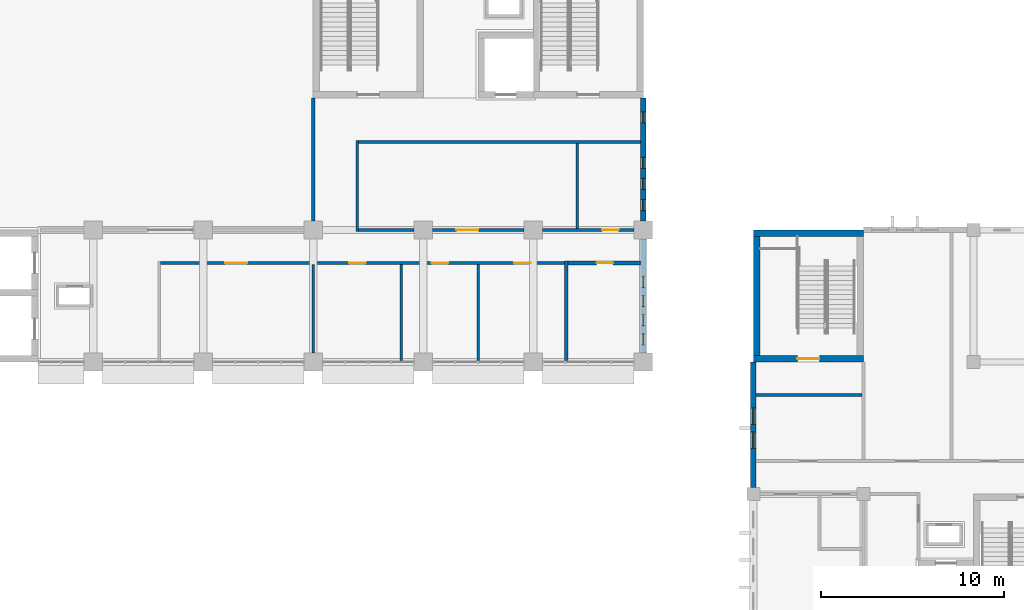
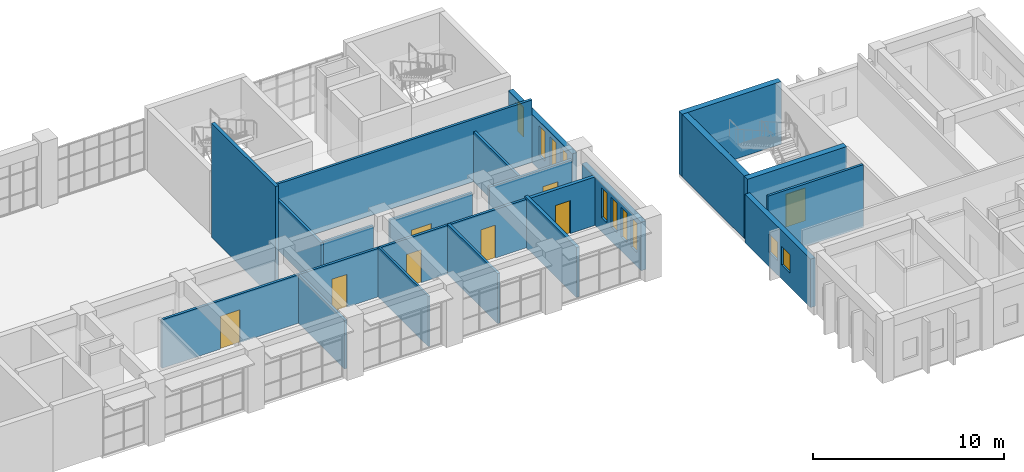
# One storey, part 65 of 92: 20 walls, 10 windows, 8 doors, 18 openings.
"""IFC4 building model written with IfcOpenShell, lengths in metres."""

import ifcopenshell
import ifcopenshell.guid

model = None  # the IFC model being written
_history = None  # IfcOwnerHistory: only IFC2X3 demands one
_inside = {}  # id of a spatial element -> (the spatial element, [elements in it])
_under = {}  # id of a project, library or spatial element -> (it, [spatial elements below it])
_declared = {}  # id of a project -> (the project, [libraries it declares])
_typed = {}  # id of a type object -> (the type object, [elements of that type])
_made_of = {}  # id of a material, layer set ... -> (it, [elements and type objects made of it])


def new_model(schema):
    """Start an empty IFC model of exactly this schema.

    Asked for "IFC4X3", IfcOpenShell would pick the latest addendum, in which some entities
    have other attributes; the version numbers below select the first issue.
    IFC2X3 requires an IfcOwnerHistory on every rooted entity: one is made here for all.
    """
    global model, _history
    if schema == "IFC4X3":
        model = ifcopenshell.file(schema_version=(4, 3, 0, 0))
    else:
        model = ifcopenshell.file(schema=schema)
    _inside.clear()
    _under.clear()
    _declared.clear()
    _typed.clear()
    _made_of.clear()
    _history = None
    if model.schema == "IFC2X3":
        org = make("IfcOrganization", Name="unknown")
        user = make(
            "IfcPersonAndOrganization",
            ThePerson=make("IfcPerson", FamilyName="unknown"),
            TheOrganization=org,
        )
        app = make(
            "IfcApplication",
            ApplicationDeveloper=org,
            Version="unknown",
            ApplicationFullName="unknown",
            ApplicationIdentifier="unknown",
        )
        _history = make(
            "IfcOwnerHistory",
            OwningUser=user,
            OwningApplication=app,
            ChangeAction="ADDED",
            CreationDate=0,
        )
    return model


def make(cls, **values):
    """One entity of the class cls with the attributes given. An attribute that is None is left unset."""
    return model.create_entity(
        cls, **{name: value for name, value in values.items() if value is not None}
    )


def rooted(cls, **values):
    """An entity with a GlobalId (a new one), such as an element, a storey or a relation."""
    return make(cls, GlobalId=ifcopenshell.guid.new(), OwnerHistory=_history, **values)


def si_unit(unit_type, name, prefix=None):
    """IfcSIUnit, for example si_unit("LENGTHUNIT", "METRE", prefix="MILLI")."""
    return make("IfcSIUnit", UnitType=unit_type, Prefix=prefix, Name=name)


def assignment(units):
    """IfcUnitAssignment: the units of a project."""
    return None if units is None else make("IfcUnitAssignment", Units=units)


def point(xyz):
    """IfcCartesianPoint."""
    return None if xyz is None else make("IfcCartesianPoint", Coordinates=xyz)


def direction(xyz):
    """IfcDirection."""
    return None if xyz is None else make("IfcDirection", DirectionRatios=xyz)


def frame(location, z_axis=None, x_axis=None):
    """IfcAxis2Placement3D, a coordinate frame: its origin and axes. An axis left out is left unset."""
    return make(
        "IfcAxis2Placement3D",
        Location=point(location),
        Axis=direction(z_axis),
        RefDirection=direction(x_axis),
    )


def frame_2d(location, x_axis=None):
    """IfcAxis2Placement2D, a coordinate frame in the plane: its origin and x axis."""
    return make(
        "IfcAxis2Placement2D", Location=point(location), RefDirection=direction(x_axis)
    )


def origin():
    """The frame at (0, 0, 0) with its axes left unset."""
    return frame((0.0, 0.0, 0.0))


def place(relative_to, where):
    """IfcLocalPlacement: puts the frame where relative to a parent placement (None: the world)."""
    return make(
        "IfcLocalPlacement", PlacementRelTo=relative_to, RelativePlacement=where
    )


def context(
    kind, dimensions, precision=None, world=None, true_north=None, identifier=None
):
    """IfcGeometricRepresentationContext, for example the 3D "Model" context."""
    return make(
        "IfcGeometricRepresentationContext",
        ContextIdentifier=identifier,
        ContextType=kind,
        CoordinateSpaceDimension=dimensions,
        Precision=precision,
        WorldCoordinateSystem=world,
        TrueNorth=true_north,
    )


def subcontext(parent, identifier, kind, view, scale=None):
    """IfcGeometricRepresentationSubContext, for example "Body" below "Model"."""
    return make(
        "IfcGeometricRepresentationSubContext",
        ContextIdentifier=identifier,
        ContextType=kind,
        ParentContext=parent,
        TargetScale=scale,
        TargetView=view,
    )


def project(units=None, contexts=None):
    """IfcProject with its units and contexts."""
    return rooted(
        "IfcProject",
        Name="project",
        RepresentationContexts=contexts,
        UnitsInContext=assignment(units),
    )


def spatial(cls, under=None, at=None, **own):
    """A site, building, storey or space (cls), placed at a placement, below another one or the project."""
    s = rooted(cls, ObjectPlacement=at, **own)
    if under is not None:
        _under.setdefault(under.id(), (under, []))[1].append(s)
    return s


def profile(cls, at=None, kind="AREA", **sizes):
    """A parametric profile (cls). Its sizes go by their IFC names, for example OverallWidth=200.0."""
    return make(cls, ProfileType=kind, Position=at, **sizes)


def rectangle(**sizes):
    """IfcRectangleProfileDef."""
    return profile("IfcRectangleProfileDef", **sizes)


def extrude(swept, where, along, depth):
    """IfcExtrudedAreaSolid: the profile swept, set in the frame where, extruded along a direction by depth."""
    return make(
        "IfcExtrudedAreaSolid",
        SweptArea=swept,
        Position=where,
        ExtrudedDirection=direction(along),
        Depth=depth,
    )


def shape(context_of_items, identifier, shape_type, items):
    """IfcShapeRepresentation: the items that make up one representation, for example the "Body"."""
    return make(
        "IfcShapeRepresentation",
        ContextOfItems=context_of_items,
        RepresentationIdentifier=identifier,
        RepresentationType=shape_type,
        Items=items,
    )


def material(Name=None, Category=None):
    """IfcMaterial."""
    return make("IfcMaterial", Name=Name, Category=Category)


def layer(
    of_material, thickness, ventilated=None, Name=None, Category=None, Priority=None
):
    """IfcMaterialLayer: one layer of a wall or slab, of a material (None: an air gap)."""
    return make(
        "IfcMaterialLayer",
        Material=of_material,
        LayerThickness=thickness,
        IsVentilated=ventilated,
        Name=Name,
        Category=Category,
        Priority=Priority,
    )


def layer_set(layers, Name=None):
    """IfcMaterialLayerSet."""
    return make("IfcMaterialLayerSet", MaterialLayers=layers, LayerSetName=Name)


def made_of(thing, what):
    """Note that an element or type object is made of a material, layer set ...; save() writes the relation."""
    if what is not None:
        _made_of.setdefault(what.id(), (what, []))[1].append(thing)
    return thing


def type_object(cls, material=None, **own):
    """A type object (cls), such as IfcWallType, which elements share."""
    return made_of(rooted(cls, **own), material)


def element(
    cls,
    number,
    at=None,
    inside=None,
    cuts=None,
    type_object=None,
    material=None,
    context=None,
    identifier="Body",
    shape_type=None,
    held_by="IfcProductDefinitionShape",
    body=None,
    shapes=None,
    **own,
):
    """One element of the class cls, such as IfcWall. Its Tag is "e" and its number.

    at: its placement. inside: the storey or other place that contains it. cuts: it is an
    opening in that element (IfcRelVoidsElement). A single representation is given by context,
    identifier, shape_type and body (its items); several are given by shapes. held_by: the class
    of the entity that holds the representations. save() writes the other relations.
    """
    e = rooted(cls, Tag="e%d" % number, ObjectPlacement=at, **own)
    if body is not None:
        shapes = [shape(context, identifier, shape_type, body)]
    if shapes is not None:
        e.Representation = make(held_by, Representations=shapes)
    if inside is not None:
        _inside.setdefault(inside.id(), (inside, []))[1].append(e)
    if cuts is not None:
        rooted(
            "IfcRelVoidsElement", RelatingBuildingElement=cuts, RelatedOpeningElement=e
        )
    if type_object is not None:
        _typed.setdefault(type_object.id(), (type_object, []))[1].append(e)
    return made_of(e, material)


def fill(opening, filler):
    """IfcRelFillsElement: the door or window that sits in an opening."""
    return rooted(
        "IfcRelFillsElement",
        RelatingOpeningElement=opening,
        RelatedBuildingElement=filler,
    )


def aggregate(whole, parts):
    """IfcRelAggregates: a whole, such as a stair, and the parts it consists of."""
    return rooted("IfcRelAggregates", RelatingObject=whole, RelatedObjects=parts)


def save(model, path):
    """Write the relations noted so far, then the file.

    IfcRelAggregates (storeys below a building ...), IfcRelContainedInSpatialStructure (elements
    in a storey), IfcRelDefinesByType, IfcRelAssociatesMaterial and IfcRelDeclares: one each for
    every whole, place, type object, material and project.
    """
    for whole, parts in _under.values():
        aggregate(whole, parts)
    for where, things in _inside.values():
        rooted(
            "IfcRelContainedInSpatialStructure",
            RelatedElements=things,
            RelatingStructure=where,
        )
    for kind, things in _typed.values():
        rooted("IfcRelDefinesByType", RelatedObjects=things, RelatingType=kind)
    for what, things in _made_of.values():
        rooted("IfcRelAssociatesMaterial", RelatedObjects=things, RelatingMaterial=what)
    for by, libraries in _declared.values():
        rooted("IfcRelDeclares", RelatingContext=by, RelatedDefinitions=libraries)
    model.write(path)


model = new_model("IFC4")

# Units and contexts
model_context = context("Model", 3, precision=1e-05, world=origin(), true_north=direction((0.0, 1.0)))
body_context = subcontext(model_context, "Body", "Model", "MODEL_VIEW")
ifc_project = project(units=[si_unit("LENGTHUNIT", "METRE"), si_unit("AREAUNIT", "SQUARE_METRE"), si_unit("VOLUMEUNIT", "CUBIC_METRE"), si_unit("PLANEANGLEUNIT", "RADIAN"), si_unit("MASSUNIT", "GRAM", prefix="KILO")], contexts=[model_context])

# Site, building, storey
site_placement = place(None, origin())
site = spatial("IfcSite", under=ifc_project, at=site_placement, CompositionType="ELEMENT")
building_placement = place(site_placement, origin())
building = spatial("IfcBuilding", under=site, at=building_placement, Name="Laocheng Heights Fire and Rescue Headquarters", CompositionType="ELEMENT")
storey_placement = place(building_placement, frame((0.0, 0.0, 12.60009765625)))
storey = spatial("IfcBuildingStorey", under=building, at=storey_placement, Name="L03", CompositionType="ELEMENT", Elevation=12.60009765625)

# Walls
ifc_material_1 = material(Name="Gypsum plaster")
ifc_layer_1 = layer(ifc_material_1, 0.010009765625, Name="PLASTER", Category="plaster")
ifc_material_2 = material(Name="Concrete blockwork MU10", Category="masonry")
ifc_layer_2 = layer(ifc_material_2, 0.1298828125, Name="BLOCKWORK", Category="masonry")
ifc_layer_3 = layer(ifc_material_1, 0.010009765625, Name="PLASTER", Category="plaster")
ifc_layer_set_1 = layer_set([ifc_layer_1, ifc_layer_2, ifc_layer_3], Name="Concrete blockwork MU10")
wall_type_1 = type_object("IfcWallType", Name="BLOCKWORK CORRIDOR WALL 150 EI 60 CREW WING", PredefinedType="PARTITIONING", material=ifc_layer_set_1)
wall_1_placement = place(storey_placement, frame((90.14990234375, 48.60009765625, 0.0), z_axis=(0.0, 0.0, 1.0), x_axis=(1.0, 0.0, 0.0)))
element("IfcWall", 1, at=wall_1_placement, inside=storey, type_object=wall_type_1, Name="Partition L03-010", PredefinedType="PARTITIONING", context=body_context, shape_type="SweptSolid", body=[
    extrude(rectangle(XDim=5.775146484375, YDim=0.14990234375, at=frame_2d((2.8876953125, 0.0))), origin(), (0.0, 0.0, 1.0), 4.0),
])
ifc_material_3 = material(Name="Gypsum plaster")
ifc_layer_4 = layer(ifc_material_3, 0.010009765625, Name="PLASTER", Category="plaster")
ifc_material_4 = material(Name="Concrete blockwork MU10", Category="masonry")
ifc_layer_5 = layer(ifc_material_4, 0.1298828125, Name="BLOCKWORK", Category="masonry")
ifc_layer_6 = layer(ifc_material_3, 0.010009765625, Name="PLASTER", Category="plaster")
ifc_layer_set_2 = layer_set([ifc_layer_4, ifc_layer_5, ifc_layer_6], Name="Concrete blockwork MU10")
wall_type_2 = type_object("IfcWallType", Name="BLOCKWORK CORRIDOR WALL 150 EI 60 HQ WING", PredefinedType="PARTITIONING", material=ifc_layer_set_2)
wall_2_placement = place(storey_placement, frame((66.0, 50.89990234375, 0.0), z_axis=(0.0, 0.0, 1.0), x_axis=(0.0, 1.0, 0.0)))
element("IfcWall", 2, at=wall_2_placement, inside=storey, type_object=wall_type_2, Name="Partition L03-006", PredefinedType="PARTITIONING", context=body_context, shape_type="SweptSolid", body=[
    extrude(rectangle(XDim=4.8251953125, YDim=0.14990234375, at=frame_2d((2.41259765625, 0.0))), origin(), (0.0, 0.0, 1.0), 3.099853515625),
])
wall_3_placement = place(storey_placement, frame((68.39990234375, 57.52490234375, 0.0), z_axis=(0.0, 0.0, 1.0), x_axis=(0.0, 1.0, 0.0)))
element("IfcWall", 3, at=wall_3_placement, inside=storey, type_object=wall_type_2, Name="Partition L03-008", PredefinedType="PARTITIONING", context=body_context, shape_type="SweptSolid", body=[
    extrude(rectangle(XDim=4.9501953125, YDim=0.14990234375, at=frame_2d((2.47509765625, 0.0))), origin(), (0.0, 0.0, 1.0), 3.199951171875),
])
wall_4_placement = place(storey_placement, frame((75.0, 50.47509765625, 0.0), z_axis=(0.0, 0.0, 1.0), x_axis=(0.0, 1.0, 0.0)))
element("IfcWall", 4, at=wall_4_placement, inside=storey, type_object=wall_type_2, Name="Partition L03-010", PredefinedType="PARTITIONING", context=body_context, shape_type="SweptSolid", body=[
    extrude(rectangle(XDim=5.25, YDim=0.14990234375, at=frame_2d((2.625, 0.0))), origin(), (0.0, 0.0, 1.0), 3.199951171875),
])
wall_5_placement = place(storey_placement, frame((80.39990234375, 57.675048828125, 0.0), z_axis=(0.0, 0.0, 1.0), x_axis=(0.0, 1.0, 0.0)))
element("IfcWall", 5, at=wall_5_placement, inside=storey, type_object=wall_type_2, Name="Partition L03-012", PredefinedType="PARTITIONING", context=body_context, shape_type="SweptSolid", body=[
    extrude(rectangle(XDim=4.64990234375, YDim=0.14990234375, at=frame_2d((2.324951171875, 0.0))), origin(), (0.0, 0.0, 1.0), 3.199951171875),
])

# Wall, openings, doors
wall_6_placement = place(storey_placement, frame((57.675048828125, 55.800048828125, 0.0), z_axis=(0.0, 0.0, 1.0), x_axis=(1.0, 0.0, 0.0)))
wall_6 = element("IfcWall", 6, at=wall_6_placement, inside=storey, type_object=wall_type_2, Name="Partition L03-014", PredefinedType="PARTITIONING", context=body_context, shape_type="SweptSolid", body=[
    extrude(rectangle(XDim=22.02490234375, YDim=0.14990234375, at=frame_2d((11.012451171875, 0.0))), origin(), (0.0, 0.0, 1.0), 3.099853515625),
])
opening_1_placement = place(wall_6_placement, frame((3.52490234375, 0.0, 0.0)))
opening_1 = element("IfcOpeningElement", 7, at=opening_1_placement, cuts=wall_6, Name="Opening L03-Y04", PredefinedType="OPENING", context=body_context, shape_type="SweptSolid", body=[
    extrude(rectangle(XDim=1.199951171875, YDim=2.10009765625, at=frame_2d((0.60009765625, 1.050048828125))), frame((0.0, 0.0849609375, 0.0), z_axis=(0.0, -1.0, 0.0), x_axis=(1.0, 0.0, 0.0)), (0.0, 0.0, 1.0), 0.169921875),
])
opening_2_placement = place(wall_6_placement, frame((10.27490234375, 0.0, 0.0)))
opening_2 = element("IfcOpeningElement", 8, at=opening_2_placement, cuts=wall_6, Name="Opening L03-Y05", PredefinedType="OPENING", context=body_context, shape_type="SweptSolid", body=[
    extrude(rectangle(XDim=0.89990234375, YDim=2.10009765625, at=frame_2d((0.449951171875, 1.050048828125))), frame((0.0, 0.0849609375, 0.0), z_axis=(0.0, -1.0, 0.0), x_axis=(1.0, 0.0, 0.0)), (0.0, 0.0, 1.0), 0.169921875),
])
opening_3_placement = place(wall_6_placement, frame((14.77490234375, 0.0, 0.0)))
opening_3 = element("IfcOpeningElement", 9, at=opening_3_placement, cuts=wall_6, Name="Opening L03-Y06", PredefinedType="OPENING", context=body_context, shape_type="SweptSolid", body=[
    extrude(rectangle(XDim=0.89990234375, YDim=2.10009765625, at=frame_2d((0.449951171875, 1.050048828125))), frame((0.0, 0.0849609375, 0.0), z_axis=(0.0, -1.0, 0.0), x_axis=(1.0, 0.0, 0.0)), (0.0, 0.0, 1.0), 0.169921875),
])
opening_4_placement = place(wall_6_placement, frame((19.27490234375, 0.0, 0.0)))
opening_4 = element("IfcOpeningElement", 10, at=opening_4_placement, cuts=wall_6, Name="Opening L03-Y07", PredefinedType="OPENING", context=body_context, shape_type="SweptSolid", body=[
    extrude(rectangle(XDim=0.89990234375, YDim=2.10009765625, at=frame_2d((0.449951171875, 1.050048828125))), frame((0.0, 0.0849609375, 0.0), z_axis=(0.0, -1.0, 0.0), x_axis=(1.0, 0.0, 0.0)), (0.0, 0.0, 1.0), 0.169921875),
])
ifc_material_5 = material(Name="Timber door leaf, veneered", Category="wood")
door_type_1 = type_object("IfcDoorType", Name="TIMBER DOOR 1200x2100 EI 30 HQ WING", OperationType="SINGLE_SWING_LEFT", PredefinedType="DOOR", material=ifc_material_5)
door_1_placement = place(opening_1_placement, frame((1.199951171875, 0.0, 0.0), z_axis=(0.0, 0.0, 1.0), x_axis=(-1.0, 0.0, 0.0)))
door_1 = element("IfcDoor", 11, at=door_1_placement, inside=storey, type_object=door_type_1, Name="Door L03-Y04", OperationType="SINGLE_SWING_RIGHT", OverallHeight=2.10009765625, OverallWidth=1.199951171875, PredefinedType="DOOR", context=body_context, shape_type="SweptSolid", body=[
    extrude(rectangle(XDim=1.199951171875, YDim=2.10009765625, at=frame_2d((0.60009765625, 1.050048828125))), frame((0.0, 0.02490234375, 0.0), z_axis=(0.0, -1.0, 0.0), x_axis=(1.0, 0.0, 0.0)), (0.0, 0.0, 1.0), 0.050048828125),
])
fill(opening_1, door_1)
ifc_material_6 = material(Name="Timber door leaf, veneered", Category="wood")
door_type_2 = type_object("IfcDoorType", Name="TIMBER DOOR 900x2100 EI 30 HQ WING", OperationType="SINGLE_SWING_LEFT", PredefinedType="DOOR", material=ifc_material_6)
door_2_placement = place(opening_2_placement, frame((0.89990234375, 0.0, 0.0), z_axis=(0.0, 0.0, 1.0), x_axis=(-1.0, 0.0, 0.0)))
door_2 = element("IfcDoor", 12, at=door_2_placement, inside=storey, type_object=door_type_2, Name="Door L03-Y05", OperationType="SINGLE_SWING_RIGHT", OverallHeight=2.10009765625, OverallWidth=0.89990234375, PredefinedType="DOOR", context=body_context, shape_type="SweptSolid", body=[
    extrude(rectangle(XDim=0.89990234375, YDim=2.10009765625, at=frame_2d((0.449951171875, 1.050048828125))), frame((0.0, 0.02490234375, 0.0), z_axis=(0.0, -1.0, 0.0), x_axis=(1.0, 0.0, 0.0)), (0.0, 0.0, 1.0), 0.050048828125),
])
fill(opening_2, door_2)
door_3_placement = place(opening_3_placement, frame((0.89990234375, 0.0, 0.0), z_axis=(0.0, 0.0, 1.0), x_axis=(-1.0, 0.0, 0.0)))
door_3 = element("IfcDoor", 13, at=door_3_placement, inside=storey, type_object=door_type_2, Name="Door L03-Y06", OperationType="SINGLE_SWING_LEFT", OverallHeight=2.10009765625, OverallWidth=0.89990234375, PredefinedType="DOOR", context=body_context, shape_type="SweptSolid", body=[
    extrude(rectangle(XDim=0.89990234375, YDim=2.10009765625, at=frame_2d((0.449951171875, 1.050048828125))), frame((0.0, 0.02490234375, 0.0), z_axis=(0.0, -1.0, 0.0), x_axis=(1.0, 0.0, 0.0)), (0.0, 0.0, 1.0), 0.050048828125),
])
fill(opening_3, door_3)
door_4_placement = place(opening_4_placement, frame((0.89990234375, 0.0, 0.0), z_axis=(0.0, 0.0, 1.0), x_axis=(-1.0, 0.0, 0.0)))
door_4 = element("IfcDoor", 14, at=door_4_placement, inside=storey, type_object=door_type_2, Name="Door L03-Y07", OperationType="SINGLE_SWING_LEFT", OverallHeight=2.10009765625, OverallWidth=0.89990234375, PredefinedType="DOOR", context=body_context, shape_type="SweptSolid", body=[
    extrude(rectangle(XDim=0.89990234375, YDim=2.10009765625, at=frame_2d((0.449951171875, 1.050048828125))), frame((0.0, 0.02490234375, 0.0), z_axis=(0.0, -1.0, 0.0), x_axis=(1.0, 0.0, 0.0)), (0.0, 0.0, 1.0), 0.050048828125),
])
fill(opening_4, door_4)

# Wall
wall_7_placement = place(storey_placement, frame((68.47509765625, 57.60009765625, 0.0), z_axis=(0.0, 0.0, 1.0), x_axis=(1.0, 0.0, 0.0)))
element("IfcWall", 15, at=wall_7_placement, inside=storey, type_object=wall_type_2, Name="Partition L03-019", PredefinedType="PARTITIONING", context=body_context, shape_type="SweptSolid", body=[
    extrude(rectangle(XDim=3.02490234375, YDim=0.14990234375, at=frame_2d((1.512451171875, 0.0))), origin(), (0.0, 0.0, 1.0), 3.199951171875),
])

# Wall, opening, door
wall_8_placement = place(storey_placement, frame((72.5, 57.60009765625, 0.0), z_axis=(0.0, 0.0, 1.0), x_axis=(1.0, 0.0, 0.0)))
wall_8 = element("IfcWall", 16, at=wall_8_placement, inside=storey, type_object=wall_type_2, Name="Partition L03-020", PredefinedType="PARTITIONING", context=body_context, shape_type="SweptSolid", body=[
    extrude(rectangle(XDim=5.0, YDim=0.14990234375, at=frame_2d((2.5, 0.0))), origin(), (0.0, 0.0, 1.0), 3.199951171875),
])
opening_5_placement = place(wall_8_placement, frame((1.300048828125, 0.0, 0.0)))
opening_5 = element("IfcOpeningElement", 17, at=opening_5_placement, cuts=wall_8, Name="Opening L03-Y10", PredefinedType="OPENING", context=body_context, shape_type="SweptSolid", body=[
    extrude(rectangle(XDim=1.199951171875, YDim=2.10009765625, at=frame_2d((0.60009765625, 1.050048828125))), frame((0.0, 0.0849609375, 0.0), z_axis=(0.0, -1.0, 0.0), x_axis=(1.0, 0.0, 0.0)), (0.0, 0.0, 1.0), 0.169921875),
])
door_5_placement = place(opening_5_placement, origin())
door_5 = element("IfcDoor", 18, at=door_5_placement, inside=storey, type_object=door_type_1, Name="Door L03-Y10", OperationType="SINGLE_SWING_LEFT", OverallHeight=2.10009765625, OverallWidth=1.199951171875, PredefinedType="DOOR", context=body_context, shape_type="SweptSolid", body=[
    extrude(rectangle(XDim=1.199951171875, YDim=2.10009765625, at=frame_2d((0.60009765625, 1.050048828125))), frame((0.0, 0.02490234375, 0.0), z_axis=(0.0, -1.0, 0.0), x_axis=(1.0, 0.0, 0.0)), (0.0, 0.0, 1.0), 0.050048828125),
])
fill(opening_5, door_5)

wall_9_placement = place(storey_placement, frame((78.5, 57.60009765625, 0.0), z_axis=(0.0, 0.0, 1.0), x_axis=(1.0, 0.0, 0.0)))
wall_9 = element("IfcWall", 19, at=wall_9_placement, inside=storey, type_object=wall_type_2, Name="Partition L03-021", PredefinedType="PARTITIONING", context=body_context, shape_type="SweptSolid", body=[
    extrude(rectangle(XDim=5.0, YDim=0.14990234375, at=frame_2d((2.5, 0.0))), origin(), (0.0, 0.0, 1.0), 3.199951171875),
])
opening_6_placement = place(wall_9_placement, frame((3.25, 0.0, 0.0)))
opening_6 = element("IfcOpeningElement", 20, at=opening_6_placement, cuts=wall_9, Name="Opening L03-Y11", PredefinedType="OPENING", context=body_context, shape_type="SweptSolid", body=[
    extrude(rectangle(XDim=0.89990234375, YDim=2.10009765625, at=frame_2d((0.449951171875, 1.050048828125))), frame((0.0, 0.0849609375, 0.0), z_axis=(0.0, -1.0, 0.0), x_axis=(1.0, 0.0, 0.0)), (0.0, 0.0, 1.0), 0.169921875),
])
door_6_placement = place(opening_6_placement, origin())
door_6 = element("IfcDoor", 21, at=door_6_placement, inside=storey, type_object=door_type_2, Name="Door L03-Y11", OperationType="SINGLE_SWING_RIGHT", OverallHeight=2.10009765625, OverallWidth=0.89990234375, PredefinedType="DOOR", context=body_context, shape_type="SweptSolid", body=[
    extrude(rectangle(XDim=0.89990234375, YDim=2.10009765625, at=frame_2d((0.449951171875, 1.050048828125))), frame((0.0, 0.02490234375, 0.0), z_axis=(0.0, -1.0, 0.0), x_axis=(1.0, 0.0, 0.0)), (0.0, 0.0, 1.0), 0.050048828125),
])
fill(opening_6, door_6)

# Walls
wall_10_placement = place(storey_placement, frame((68.47509765625, 62.39990234375, 0.0), z_axis=(0.0, 0.0, 1.0), x_axis=(1.0, 0.0, 0.0)))
element("IfcWall", 22, at=wall_10_placement, inside=storey, type_object=wall_type_2, Name="Partition L03-023", PredefinedType="PARTITIONING", context=body_context, shape_type="SweptSolid", body=[
    extrude(rectangle(XDim=15.375, YDim=0.14990234375, at=frame_2d((7.6875, 0.0))), origin(), (0.0, 0.0, 1.0), 4.0),
])
ifc_material_7 = material(Name="Gypsum plaster")
ifc_layer_7 = layer(ifc_material_7, 0.010009765625, Name="PLASTER", Category="plaster")
ifc_material_8 = material(Name="Concrete blockwork MU10", Category="masonry")
ifc_layer_8 = layer(ifc_material_8, 0.179931640625, Name="BLOCKWORK", Category="masonry")
ifc_layer_9 = layer(ifc_material_7, 0.010009765625, Name="PLASTER", Category="plaster")
ifc_layer_set_3 = layer_set([ifc_layer_7, ifc_layer_8, ifc_layer_9], Name="Concrete blockwork MU10")
wall_type_3 = type_object("IfcWallType", Name="BLOCKWORK FIRE PARTITION 200 EI 120 HQ WING", PredefinedType="PARTITIONING", material=ifc_layer_set_3)
wall_11_placement = place(storey_placement, frame((66.0, 58.10009765625, 0.0), z_axis=(0.0, 0.0, 1.0), x_axis=(0.0, 1.0, 0.0)))
element("IfcWall", 23, at=wall_11_placement, inside=storey, type_object=wall_type_3, Name="Partition L03-007", PredefinedType="PARTITIONING", context=body_context, shape_type="SweptSolid", body=[
    extrude(rectangle(XDim=6.699951171875, YDim=0.199951171875, at=frame_2d((3.35009765625, 0.0))), origin(), (0.0, 0.0, 1.0), 7.2998046875),
])
wall_12_placement = place(storey_placement, frame((79.800048828125, 50.47509765625, 0.0), z_axis=(0.0, 0.0, 1.0), x_axis=(0.0, 1.0, 0.0)))
element("IfcWall", 24, at=wall_12_placement, inside=storey, type_object=wall_type_3, Name="Partition L03-011", PredefinedType="PARTITIONING", context=body_context, shape_type="SweptSolid", body=[
    extrude(rectangle(XDim=5.4248046875, YDim=0.199951171875, at=frame_2d((2.71240234375, 0.0))), origin(), (0.0, 0.0, 1.0), 3.199951171875),
])

# Wall, opening, door
wall_13_placement = place(storey_placement, frame((79.89990234375, 55.800048828125, 0.0), z_axis=(0.0, 0.0, 1.0), x_axis=(1.0, 0.0, 0.0)))
wall_13 = element("IfcWall", 25, at=wall_13_placement, inside=storey, type_object=wall_type_3, Name="Partition L03-015", PredefinedType="PARTITIONING", context=body_context, shape_type="SweptSolid", body=[
    extrude(rectangle(XDim=3.9501953125, YDim=0.199951171875, at=frame_2d((1.97509765625, 0.0))), origin(), (0.0, 0.0, 1.0), 3.099853515625),
])
opening_7_placement = place(wall_13_placement, frame((1.550048828125, 0.0, 0.0)))
opening_7 = element("IfcOpeningElement", 26, at=opening_7_placement, cuts=wall_13, Name="Opening L03-Y08", PredefinedType="OPENING", context=body_context, shape_type="SweptSolid", body=[
    extrude(rectangle(XDim=0.89990234375, YDim=2.10009765625, at=frame_2d((0.449951171875, 1.050048828125))), frame((0.0, 0.10986328125, 0.0), z_axis=(0.0, -1.0, 0.0), x_axis=(1.0, 0.0, 0.0)), (0.0, 0.0, 1.0), 0.219970703125),
])
ifc_material_9 = material(Name="Steel door leaf, painted", Category="steel")
door_type_3 = type_object("IfcDoorType", Name="STEEL FIRE DOOR 900x2100 EI 120 HQ WING", OperationType="SINGLE_SWING_LEFT", PredefinedType="DOOR", material=ifc_material_9)
door_7_placement = place(opening_7_placement, frame((0.89990234375, 0.0, 0.0), z_axis=(0.0, 0.0, 1.0), x_axis=(-1.0, 0.0, 0.0)))
door_7 = element("IfcDoor", 27, at=door_7_placement, inside=storey, type_object=door_type_3, Name="Door L03-Y08", OperationType="SINGLE_SWING_LEFT", OverallHeight=2.10009765625, OverallWidth=0.89990234375, PredefinedType="DOOR", context=body_context, shape_type="SweptSolid", body=[
    extrude(rectangle(XDim=0.89990234375, YDim=2.10009765625, at=frame_2d((0.449951171875, 1.050048828125))), frame((0.0, 0.02490234375, 0.0), z_axis=(0.0, -1.0, 0.0), x_axis=(1.0, 0.0, 0.0)), (0.0, 0.0, 1.0), 0.050048828125),
])
fill(opening_7, door_7)

# Wall, openings, windows
ifc_material_10 = material(Name="Precast concrete C40/50", Category="concrete")
ifc_layer_10 = layer(ifc_material_10, 0.300048828125)
ifc_layer_set_4 = layer_set([ifc_layer_10], Name="Precast concrete C40/50")
wall_type_4 = type_object("IfcWallType", Name="PRECAST WALL PANEL 300", PredefinedType="SOLIDWALL", material=ifc_layer_set_4)
wall_14_placement = place(storey_placement, frame((84.0, 50.89990234375, 0.0), z_axis=(0.0, 0.0, 1.0), x_axis=(0.0, 1.0, 0.0)))
wall_14 = element("IfcWall", 28, at=wall_14_placement, inside=storey, type_object=wall_type_4, Name="PRECAST WALL PANEL HQ EAST L03", PredefinedType="SOLIDWALL", context=body_context, shape_type="SweptSolid", body=[
    extrude(rectangle(XDim=6.2001953125, YDim=0.300048828125, at=frame_2d((3.10009765625, 0.0))), origin(), (0.0, 0.0, 1.0), 3.099853515625),
])
opening_8_placement = place(wall_14_placement, frame((0.43994140625, 0.0, 0.89990234375)))
opening_8 = element("IfcOpeningElement", 29, at=opening_8_placement, cuts=wall_14, Name="Opening N1-X", PredefinedType="OPENING", context=body_context, shape_type="SweptSolid", body=[
    extrude(rectangle(XDim=0.60009765625, YDim=1.89990234375, at=frame_2d((0.300048828125, 0.949951171875))), frame((0.0, 0.159912109375, 0.0), z_axis=(0.0, -1.0, 0.0), x_axis=(1.0, 0.0, 0.0)), (0.0, 0.0, 1.0), 0.320068359375),
])
opening_9_placement = place(wall_14_placement, frame((1.47998046875, 0.0, 0.89990234375)))
opening_9 = element("IfcOpeningElement", 30, at=opening_9_placement, cuts=wall_14, Name="Opening N1-X", PredefinedType="OPENING", context=body_context, shape_type="SweptSolid", body=[
    extrude(rectangle(XDim=0.60009765625, YDim=1.89990234375, at=frame_2d((0.300048828125, 0.949951171875))), frame((0.0, 0.159912109375, 0.0), z_axis=(0.0, -1.0, 0.0), x_axis=(1.0, 0.0, 0.0)), (0.0, 0.0, 1.0), 0.320068359375),
])
opening_10_placement = place(wall_14_placement, frame((2.52001953125, 0.0, 0.89990234375)))
opening_10 = element("IfcOpeningElement", 31, at=opening_10_placement, cuts=wall_14, Name="Opening N1-X", PredefinedType="OPENING", context=body_context, shape_type="SweptSolid", body=[
    extrude(rectangle(XDim=0.60009765625, YDim=1.89990234375, at=frame_2d((0.300048828125, 0.949951171875))), frame((0.0, 0.159912109375, 0.0), z_axis=(0.0, -1.0, 0.0), x_axis=(1.0, 0.0, 0.0)), (0.0, 0.0, 1.0), 0.320068359375),
])
opening_11_placement = place(wall_14_placement, frame((3.56005859375, 0.0, 0.89990234375)))
opening_11 = element("IfcOpeningElement", 32, at=opening_11_placement, cuts=wall_14, Name="Opening N1-X", PredefinedType="OPENING", context=body_context, shape_type="SweptSolid", body=[
    extrude(rectangle(XDim=0.60009765625, YDim=1.89990234375, at=frame_2d((0.300048828125, 0.949951171875))), frame((0.0, 0.159912109375, 0.0), z_axis=(0.0, -1.0, 0.0), x_axis=(1.0, 0.0, 0.0)), (0.0, 0.0, 1.0), 0.320068359375),
])
ifc_material_11 = material(Name="Low-e double glazing in aluminium frame", Category="aluminium")
window_type_1 = type_object("IfcWindowType", Name="WINDOW 600 x 1900 HQ END SLOT", PartitioningType="SINGLE_PANEL", PredefinedType="WINDOW", material=ifc_material_11)
window_1_placement = place(opening_8_placement, origin())
window_1 = element("IfcWindow", 33, at=window_1_placement, inside=storey, type_object=window_type_1, Name="HQ END SLOT HQ EAST L03", OverallHeight=1.89990234375, OverallWidth=0.60009765625, PartitioningType="SINGLE_PANEL", PredefinedType="WINDOW", context=body_context, shape_type="SweptSolid", body=[
    extrude(rectangle(XDim=0.60009765625, YDim=1.89990234375, at=frame_2d((0.300048828125, 0.949951171875))), frame((0.0, 0.030029296875, 0.0), z_axis=(0.0, -1.0, 0.0), x_axis=(1.0, 0.0, 0.0)), (0.0, 0.0, 1.0), 0.06005859375),
])
fill(opening_8, window_1)
window_2_placement = place(opening_9_placement, origin())
window_2 = element("IfcWindow", 34, at=window_2_placement, inside=storey, type_object=window_type_1, Name="HQ END SLOT HQ EAST L03", OverallHeight=1.89990234375, OverallWidth=0.60009765625, PartitioningType="SINGLE_PANEL", PredefinedType="WINDOW", context=body_context, shape_type="SweptSolid", body=[
    extrude(rectangle(XDim=0.60009765625, YDim=1.89990234375, at=frame_2d((0.300048828125, 0.949951171875))), frame((0.0, 0.030029296875, 0.0), z_axis=(0.0, -1.0, 0.0), x_axis=(1.0, 0.0, 0.0)), (0.0, 0.0, 1.0), 0.06005859375),
])
fill(opening_9, window_2)
window_3_placement = place(opening_10_placement, origin())
window_3 = element("IfcWindow", 35, at=window_3_placement, inside=storey, type_object=window_type_1, Name="HQ END SLOT HQ EAST L03", OverallHeight=1.89990234375, OverallWidth=0.60009765625, PartitioningType="SINGLE_PANEL", PredefinedType="WINDOW", context=body_context, shape_type="SweptSolid", body=[
    extrude(rectangle(XDim=0.60009765625, YDim=1.89990234375, at=frame_2d((0.300048828125, 0.949951171875))), frame((0.0, 0.030029296875, 0.0), z_axis=(0.0, -1.0, 0.0), x_axis=(1.0, 0.0, 0.0)), (0.0, 0.0, 1.0), 0.06005859375),
])
fill(opening_10, window_3)
window_4_placement = place(opening_11_placement, origin())
window_4 = element("IfcWindow", 36, at=window_4_placement, inside=storey, type_object=window_type_1, Name="HQ END SLOT HQ EAST L03", OverallHeight=1.89990234375, OverallWidth=0.60009765625, PartitioningType="SINGLE_PANEL", PredefinedType="WINDOW", context=body_context, shape_type="SweptSolid", body=[
    extrude(rectangle(XDim=0.60009765625, YDim=1.89990234375, at=frame_2d((0.300048828125, 0.949951171875))), frame((0.0, 0.030029296875, 0.0), z_axis=(0.0, -1.0, 0.0), x_axis=(1.0, 0.0, 0.0)), (0.0, 0.0, 1.0), 0.06005859375),
])
fill(opening_11, window_4)

wall_15_placement = place(storey_placement, frame((84.0, 58.10009765625, 0.0), z_axis=(0.0, 0.0, 1.0), x_axis=(0.0, 1.0, 0.0)))
wall_15 = element("IfcWall", 37, at=wall_15_placement, inside=storey, type_object=wall_type_4, Name="PRECAST WALL PANEL HQ EAST L03", PredefinedType="SOLIDWALL", context=body_context, shape_type="SweptSolid", body=[
    extrude(rectangle(XDim=6.699951171875, YDim=0.300048828125, at=frame_2d((3.35009765625, 0.0))), origin(), (0.0, 0.0, 1.0), 3.099853515625),
])
opening_12_placement = place(wall_15_placement, frame((0.554931640625, 0.0, 0.89990234375)))
opening_12 = element("IfcOpeningElement", 38, at=opening_12_placement, cuts=wall_15, Name="Opening N1-X", PredefinedType="OPENING", context=body_context, shape_type="SweptSolid", body=[
    extrude(rectangle(XDim=0.60009765625, YDim=1.89990234375, at=frame_2d((0.300048828125, 0.949951171875))), frame((0.0, 0.159912109375, 0.0), z_axis=(0.0, -1.0, 0.0), x_axis=(1.0, 0.0, 0.0)), (0.0, 0.0, 1.0), 0.320068359375),
])
opening_13_placement = place(wall_15_placement, frame((1.7099609375, 0.0, 0.89990234375)))
opening_13 = element("IfcOpeningElement", 39, at=opening_13_placement, cuts=wall_15, Name="Opening N1-X", PredefinedType="OPENING", context=body_context, shape_type="SweptSolid", body=[
    extrude(rectangle(XDim=0.60009765625, YDim=1.89990234375, at=frame_2d((0.300048828125, 0.949951171875))), frame((0.0, 0.159912109375, 0.0), z_axis=(0.0, -1.0, 0.0), x_axis=(1.0, 0.0, 0.0)), (0.0, 0.0, 1.0), 0.320068359375),
])
opening_14_placement = place(wall_15_placement, frame((2.864990234375, 0.0, 0.89990234375)))
opening_14 = element("IfcOpeningElement", 40, at=opening_14_placement, cuts=wall_15, Name="Opening N1-X", PredefinedType="OPENING", context=body_context, shape_type="SweptSolid", body=[
    extrude(rectangle(XDim=0.60009765625, YDim=1.89990234375, at=frame_2d((0.300048828125, 0.949951171875))), frame((0.0, 0.159912109375, 0.0), z_axis=(0.0, -1.0, 0.0), x_axis=(1.0, 0.0, 0.0)), (0.0, 0.0, 1.0), 0.320068359375),
])
opening_15_placement = place(wall_15_placement, frame((5.340087890625, 0.0, 0.89990234375)))
opening_15 = element("IfcOpeningElement", 41, at=opening_15_placement, cuts=wall_15, Name="Opening N1-X", PredefinedType="OPENING", context=body_context, shape_type="SweptSolid", body=[
    extrude(rectangle(XDim=0.60009765625, YDim=1.89990234375, at=frame_2d((0.300048828125, 0.949951171875))), frame((0.0, 0.159912109375, 0.0), z_axis=(0.0, -1.0, 0.0), x_axis=(1.0, 0.0, 0.0)), (0.0, 0.0, 1.0), 0.320068359375),
])
window_5_placement = place(opening_12_placement, origin())
window_5 = element("IfcWindow", 42, at=window_5_placement, inside=storey, type_object=window_type_1, Name="HQ END SLOT HQ EAST L03", OverallHeight=1.89990234375, OverallWidth=0.60009765625, PartitioningType="SINGLE_PANEL", PredefinedType="WINDOW", context=body_context, shape_type="SweptSolid", body=[
    extrude(rectangle(XDim=0.60009765625, YDim=1.89990234375, at=frame_2d((0.300048828125, 0.949951171875))), frame((0.0, 0.030029296875, 0.0), z_axis=(0.0, -1.0, 0.0), x_axis=(1.0, 0.0, 0.0)), (0.0, 0.0, 1.0), 0.06005859375),
])
fill(opening_12, window_5)
window_6_placement = place(opening_13_placement, origin())
window_6 = element("IfcWindow", 43, at=window_6_placement, inside=storey, type_object=window_type_1, Name="HQ END SLOT HQ EAST L03", OverallHeight=1.89990234375, OverallWidth=0.60009765625, PartitioningType="SINGLE_PANEL", PredefinedType="WINDOW", context=body_context, shape_type="SweptSolid", body=[
    extrude(rectangle(XDim=0.60009765625, YDim=1.89990234375, at=frame_2d((0.300048828125, 0.949951171875))), frame((0.0, 0.030029296875, 0.0), z_axis=(0.0, -1.0, 0.0), x_axis=(1.0, 0.0, 0.0)), (0.0, 0.0, 1.0), 0.06005859375),
])
fill(opening_13, window_6)
window_7_placement = place(opening_14_placement, origin())
window_7 = element("IfcWindow", 44, at=window_7_placement, inside=storey, type_object=window_type_1, Name="HQ END SLOT HQ EAST L03", OverallHeight=1.89990234375, OverallWidth=0.60009765625, PartitioningType="SINGLE_PANEL", PredefinedType="WINDOW", context=body_context, shape_type="SweptSolid", body=[
    extrude(rectangle(XDim=0.60009765625, YDim=1.89990234375, at=frame_2d((0.300048828125, 0.949951171875))), frame((0.0, 0.030029296875, 0.0), z_axis=(0.0, -1.0, 0.0), x_axis=(1.0, 0.0, 0.0)), (0.0, 0.0, 1.0), 0.06005859375),
])
fill(opening_14, window_7)
window_8_placement = place(opening_15_placement, origin())
window_8 = element("IfcWindow", 45, at=window_8_placement, inside=storey, type_object=window_type_1, Name="HQ END SLOT HQ EAST L03", OverallHeight=1.89990234375, OverallWidth=0.60009765625, PartitioningType="SINGLE_PANEL", PredefinedType="WINDOW", context=body_context, shape_type="SweptSolid", body=[
    extrude(rectangle(XDim=0.60009765625, YDim=1.89990234375, at=frame_2d((0.300048828125, 0.949951171875))), frame((0.0, 0.030029296875, 0.0), z_axis=(0.0, -1.0, 0.0), x_axis=(1.0, 0.0, 0.0)), (0.0, 0.0, 1.0), 0.06005859375),
])
fill(opening_15, window_8)

ifc_material_12 = material(Name="Precast concrete C40/50", Category="concrete")
ifc_layer_11 = layer(ifc_material_12, 0.300048828125)
ifc_layer_set_5 = layer_set([ifc_layer_11], Name="Precast concrete C40/50")
wall_type_5 = type_object("IfcWallType", Name="PRECAST WALL PANEL CREW 300", PredefinedType="SOLIDWALL", material=ifc_layer_set_5)
wall_16_placement = place(storey_placement, frame((90.0, 43.550048828125, 0.0), z_axis=(0.0, 0.0, 1.0), x_axis=(0.0, 1.0, 0.0)))
wall_16 = element("IfcWall", 46, at=wall_16_placement, inside=storey, type_object=wall_type_5, Name="PRECAST WALL PANEL CREW CREW WEST L03", PredefinedType="SOLIDWALL", context=body_context, shape_type="SweptSolid", body=[
    extrude(rectangle(XDim=6.849853515625, YDim=0.300048828125, at=frame_2d((3.4248046875, 0.0))), origin(), (0.0, 0.0, 1.0), 3.099853515625),
])
opening_16_placement = place(wall_16_placement, frame((2.143310546875, 0.0, 0.89990234375)))
opening_16 = element("IfcOpeningElement", 47, at=opening_16_placement, cuts=wall_16, Name="Opening N2-W", PredefinedType="OPENING", context=body_context, shape_type="SweptSolid", body=[
    extrude(rectangle(XDim=0.89990234375, YDim=1.199951171875, at=frame_2d((0.449951171875, 0.60009765625))), frame((0.0, 0.159912109375, 0.0), z_axis=(0.0, -1.0, 0.0), x_axis=(1.0, 0.0, 0.0)), (0.0, 0.0, 1.0), 0.320068359375),
])
opening_17_placement = place(wall_16_placement, frame((3.456787109375, 0.0, 0.89990234375)))
opening_17 = element("IfcOpeningElement", 48, at=opening_17_placement, cuts=wall_16, Name="Opening N2-W", PredefinedType="OPENING", context=body_context, shape_type="SweptSolid", body=[
    extrude(rectangle(XDim=0.89990234375, YDim=1.199951171875, at=frame_2d((0.449951171875, 0.60009765625))), frame((0.0, 0.159912109375, 0.0), z_axis=(0.0, -1.0, 0.0), x_axis=(1.0, 0.0, 0.0)), (0.0, 0.0, 1.0), 0.320068359375),
])
ifc_material_13 = material(Name="Low-e double glazing in aluminium frame", Category="aluminium")
window_type_2 = type_object("IfcWindowType", Name="WINDOW 900 x 1200 CREW DORMITORY", PartitioningType="SINGLE_PANEL", PredefinedType="WINDOW", material=ifc_material_13)
window_9_placement = place(opening_16_placement, origin())
window_9 = element("IfcWindow", 49, at=window_9_placement, inside=storey, type_object=window_type_2, Name="CREW DORMITORY CREW WEST L03", OverallHeight=1.199951171875, OverallWidth=0.89990234375, PartitioningType="SINGLE_PANEL", PredefinedType="WINDOW", context=body_context, shape_type="SweptSolid", body=[
    extrude(rectangle(XDim=0.89990234375, YDim=1.199951171875, at=frame_2d((0.449951171875, 0.60009765625))), frame((0.0, 0.030029296875, 0.0), z_axis=(0.0, -1.0, 0.0), x_axis=(1.0, 0.0, 0.0)), (0.0, 0.0, 1.0), 0.06005859375),
])
fill(opening_16, window_9)
window_10_placement = place(opening_17_placement, origin())
window_10 = element("IfcWindow", 50, at=window_10_placement, inside=storey, type_object=window_type_2, Name="CREW DORMITORY CREW WEST L03", OverallHeight=1.199951171875, OverallWidth=0.89990234375, PartitioningType="SINGLE_PANEL", PredefinedType="WINDOW", context=body_context, shape_type="SweptSolid", body=[
    extrude(rectangle(XDim=0.89990234375, YDim=1.199951171875, at=frame_2d((0.449951171875, 0.60009765625))), frame((0.0, 0.030029296875, 0.0), z_axis=(0.0, -1.0, 0.0), x_axis=(1.0, 0.0, 0.0)), (0.0, 0.0, 1.0), 0.06005859375),
])
fill(opening_17, window_10)

# Wall, opening, door
ifc_material_14 = material(Name="Concrete C50", Category="concrete")
ifc_layer_12 = layer(ifc_material_14, 0.35009765625)
ifc_layer_set_6 = layer_set([ifc_layer_12], Name="Concrete C50")
wall_type_6 = type_object("IfcWallType", Name="RC STAIR ENCLOSURE WALL 350", PredefinedType="SHEAR", material=ifc_layer_set_6)
wall_17_placement = place(storey_placement, frame((90.0, 50.574951171875, 0.0), z_axis=(0.0, 0.0, 1.0), x_axis=(1.0, 0.0, 0.0)))
wall_17 = element("IfcWall", 51, at=wall_17_placement, inside=storey, type_object=wall_type_6, Name="Stair enclosure wall", PredefinedType="SHEAR", context=body_context, shape_type="SweptSolid", body=[
    extrude(rectangle(XDim=6.0, YDim=0.35009765625, at=frame_2d((3.0, 0.0))), origin(), (0.0, 0.0, 1.0), 4.0),
])
opening_18_placement = place(wall_17_placement, frame((2.39990234375, 0.0, 0.0)))
opening_18 = element("IfcOpeningElement", 52, at=opening_18_placement, cuts=wall_17, Name="Opening L03-K13", PredefinedType="OPENING", context=body_context, shape_type="SweptSolid", body=[
    extrude(rectangle(XDim=1.199951171875, YDim=2.10009765625, at=frame_2d((0.60009765625, 1.050048828125))), frame((0.0, 0.18505859375, 0.0), z_axis=(0.0, -1.0, 0.0), x_axis=(1.0, 0.0, 0.0)), (0.0, 0.0, 1.0), 0.3701171875),
])
ifc_material_15 = material(Name="Painted steel", Category="steel")
door_type_4 = type_object("IfcDoorType", Name="FIRE DOOR 1200x2100 EI 60", OperationType="SINGLE_SWING_LEFT", PredefinedType="DOOR", material=ifc_material_15)
door_8_placement = place(opening_18_placement, frame((1.199951171875, 0.0, 0.0), z_axis=(0.0, 0.0, 1.0), x_axis=(-1.0, 0.0, 0.0)))
door_8 = element("IfcDoor", 53, at=door_8_placement, inside=storey, type_object=door_type_4, Name="Stair C2 door", OperationType="SINGLE_SWING_RIGHT", OverallHeight=2.10009765625, OverallWidth=1.199951171875, PredefinedType="DOOR", context=body_context, shape_type="SweptSolid", body=[
    extrude(rectangle(XDim=1.199951171875, YDim=2.10009765625, at=frame_2d((0.60009765625, 1.050048828125))), frame((0.0, 0.02490234375, 0.0), z_axis=(0.0, -1.0, 0.0), x_axis=(1.0, 0.0, 0.0)), (0.0, 0.0, 1.0), 0.050048828125),
])
fill(opening_18, door_8)

# Walls
wall_18_placement = place(storey_placement, frame((90.0, 57.425048828125, 0.0), z_axis=(0.0, 0.0, 1.0), x_axis=(1.0, 0.0, 0.0)))
element("IfcWall", 54, at=wall_18_placement, inside=storey, type_object=wall_type_6, Name="Stair enclosure wall", PredefinedType="SHEAR", context=body_context, shape_type="SweptSolid", body=[
    extrude(rectangle(XDim=6.0, YDim=0.35009765625, at=frame_2d((3.0, 0.0))), origin(), (0.0, 0.0, 1.0), 4.0),
])
wall_19_placement = place(storey_placement, frame((90.175048828125, 50.75, 0.0), z_axis=(0.0, 0.0, 1.0), x_axis=(0.0, 1.0, 0.0)))
element("IfcWall", 55, at=wall_19_placement, inside=storey, type_object=wall_type_6, Name="Stair enclosure wall", PredefinedType="SHEAR", context=body_context, shape_type="SweptSolid", body=[
    extrude(rectangle(XDim=6.5, YDim=0.35009765625, at=frame_2d((3.25, 0.0))), origin(), (0.0, 0.0, 1.0), 4.0),
])
ifc_material_16 = material(Name="Gypsum plasterboard")
ifc_layer_13 = layer(ifc_material_16, 0.02490234375, Name="OUTER PLASTERBOARD", Category="board")
ifc_material_17 = material(Name="Steel studs with mineral wool fill", Category="steel")
ifc_layer_14 = layer(ifc_material_17, 0.070068359375, Name="STEEL STUD AND MINERAL WOOL", Category="insulation")
ifc_layer_15 = layer(ifc_material_16, 0.02490234375, Name="INNER PLASTERBOARD", Category="board")
ifc_layer_set_7 = layer_set([ifc_layer_13, ifc_layer_14, ifc_layer_15], Name="Gypsum board on steel stud")
wall_type_7 = type_object("IfcWallType", Name="STUD PARTITION 120 EI 45 HQ WING", PredefinedType="PARTITIONING", material=ifc_layer_set_7)
wall_20_placement = place(storey_placement, frame((70.800048828125, 50.47509765625, 0.0), z_axis=(0.0, 0.0, 1.0), x_axis=(0.0, 1.0, 0.0)))
element("IfcWall", 56, at=wall_20_placement, inside=storey, type_object=wall_type_7, Name="Partition L03-009", PredefinedType="PARTITIONING", context=body_context, shape_type="SweptSolid", body=[
    extrude(rectangle(XDim=5.25, YDim=0.1201171875, at=frame_2d((2.625, 0.0))), origin(), (0.0, 0.0, 1.0), 3.199951171875),
])

save(model, "model.ifc")
